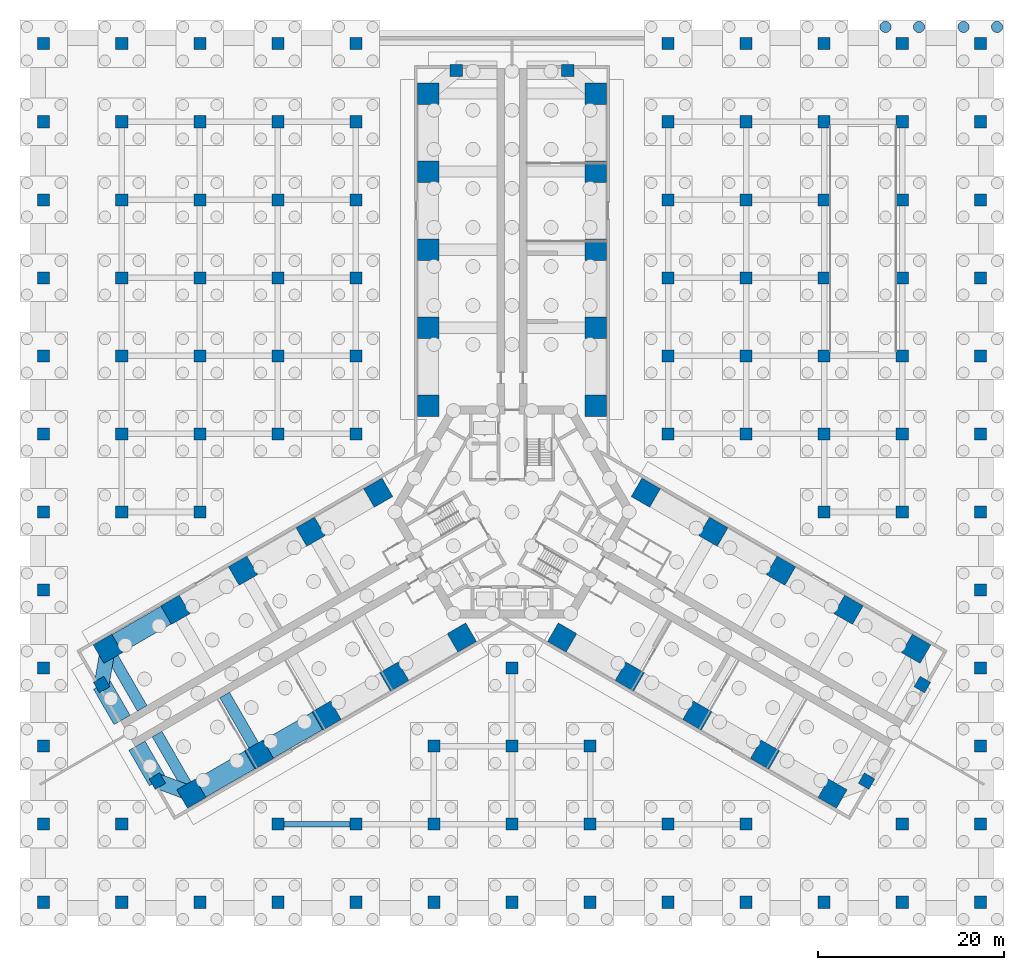
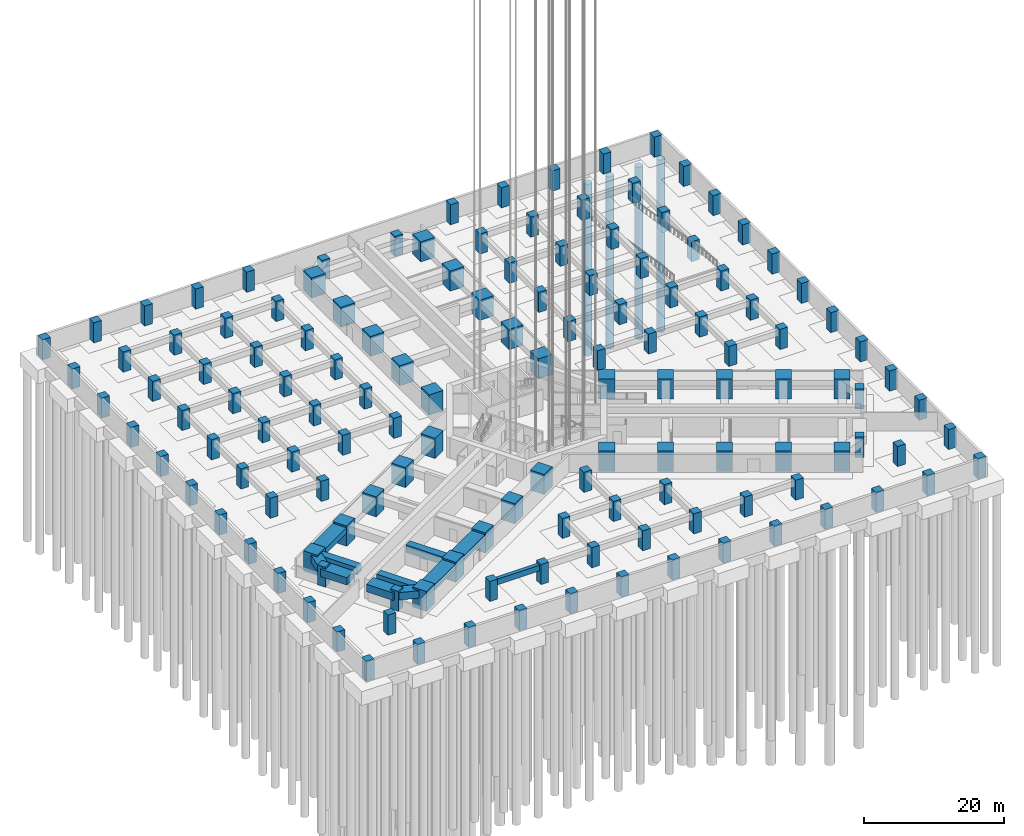
# One storey, part 48 of 73: 136 columns, 11 beams, 4 piles.
"""IFC4 building model written with IfcOpenShell, lengths in metres."""

from ifc_helpers import new_model, si_unit, direction, frame, origin, origin_2d, place, context, subcontext, project, spatial, polyline, rectangle, circle, outline, extrude, material, material_profile, profile_set, type_object, element, save


model = new_model("IFC4")

# Units and contexts
model_context = context("Model", 3, precision=1e-05, world=origin(), true_north=direction((0.0, 1.0)))
body_context = subcontext(model_context, "Body", "Model", "MODEL_VIEW")
ifc_project = project(units=[si_unit("LENGTHUNIT", "METRE"), si_unit("AREAUNIT", "SQUARE_METRE"), si_unit("VOLUMEUNIT", "CUBIC_METRE"), si_unit("PLANEANGLEUNIT", "RADIAN"), si_unit("MASSUNIT", "GRAM", prefix="KILO")], contexts=[model_context])

# Site, building, storey
site_placement = place(None, origin())
site = spatial("IfcSite", under=ifc_project, at=site_placement, CompositionType="ELEMENT")
building_placement = place(site_placement, origin())
building = spatial("IfcBuilding", under=site, at=building_placement, Name="Impinga Residences", CompositionType="ELEMENT")
storey_placement = place(building_placement, frame((0.0, 0.0, -10.5)))
storey = spatial("IfcBuildingStorey", under=building, at=storey_placement, Name="B3", CompositionType="ELEMENT", Elevation=-10.5)

# Piles
ifc_material_1 = material(Name="Concrete C35/45", Category="concrete")
ifc_material_profile_1 = material_profile(ifc_material_1, circle(Radius=0.60009765625, at=origin_2d()), Name="D1200")
ifc_profile_set_1 = profile_set([ifc_material_profile_1], Name="Concrete C35/45")
pile_type = type_object("IfcPileType", Name="BP2 bored pile D1200", PredefinedType="BORED", material=ifc_profile_set_1)
pile_1_placement = place(storey_placement, frame((43.800048828125, 52.199951171875, -2.39990234375), z_axis=(0.0, 0.0, -1.0), x_axis=(1.0, 0.0, 0.0)))
element("IfcPile", 1, at=pile_1_placement, inside=storey, type_object=pile_type, Name="Cap pile BP2 12/M-3", PredefinedType="BORED", context=body_context, shape_type="SweptSolid", body=[
    extrude(outline(polyline([(0.60009765625, 0.0), (0.59716796875, 0.058837890625), (0.58837890625, 0.116943359375), (0.57421875, 0.174072265625), (0.554443359375, 0.2294921875), (0.529052734375, 0.282958984375), (0.498779296875, 0.333251953125), (0.4638671875, 0.380615234375), (0.42431640625, 0.42431640625), (0.380615234375, 0.4638671875), (0.333251953125, 0.498779296875), (0.282958984375, 0.529052734375), (0.2294921875, 0.554443359375), (0.174072265625, 0.57421875), (0.116943359375, 0.58837890625), (0.058837890625, 0.59716796875), (0.0, 0.60009765625), (-0.058837890625, 0.59716796875), (-0.116943359375, 0.58837890625), (-0.174072265625, 0.57421875), (-0.2294921875, 0.554443359375), (-0.282958984375, 0.529052734375), (-0.333251953125, 0.498779296875), (-0.380615234375, 0.4638671875), (-0.42431640625, 0.42431640625), (-0.4638671875, 0.380615234375), (-0.498779296875, 0.333251953125), (-0.529052734375, 0.282958984375), (-0.554443359375, 0.2294921875), (-0.57421875, 0.174072265625), (-0.58837890625, 0.116943359375), (-0.59716796875, 0.058837890625), (-0.60009765625, 0.0), (-0.59716796875, -0.058837890625), (-0.58837890625, -0.116943359375), (-0.57421875, -0.174072265625), (-0.554443359375, -0.2294921875), (-0.529052734375, -0.282958984375), (-0.498779296875, -0.333251953125), (-0.4638671875, -0.380615234375), (-0.42431640625, -0.42431640625), (-0.380615234375, -0.4638671875), (-0.333251953125, -0.498779296875), (-0.282958984375, -0.529052734375), (-0.2294921875, -0.554443359375), (-0.174072265625, -0.57421875), (-0.116943359375, -0.58837890625), (-0.058837890625, -0.59716796875), (0.0, -0.60009765625), (0.058837890625, -0.59716796875), (0.116943359375, -0.58837890625), (0.174072265625, -0.57421875), (0.2294921875, -0.554443359375), (0.282958984375, -0.529052734375), (0.333251953125, -0.498779296875), (0.380615234375, -0.4638671875), (0.42431640625, -0.42431640625), (0.4638671875, -0.380615234375), (0.498779296875, -0.333251953125), (0.529052734375, -0.282958984375), (0.554443359375, -0.2294921875), (0.57421875, -0.174072265625), (0.58837890625, -0.116943359375), (0.59716796875, -0.058837890625), (0.60009765625, 0.0)])), origin(), (0.0, 0.0, 1.0), 30.0),
])
pile_2_placement = place(storey_placement, frame((40.199951171875, 52.199951171875, -2.39990234375), z_axis=(0.0, 0.0, -1.0), x_axis=(1.0, 0.0, 0.0)))
element("IfcPile", 2, at=pile_2_placement, inside=storey, type_object=pile_type, Name="Cap pile BP2 12/M-4", PredefinedType="BORED", context=body_context, shape_type="SweptSolid", body=[
    extrude(outline(polyline([(0.60009765625, 0.0), (0.59716796875, 0.058837890625), (0.58837890625, 0.116943359375), (0.57421875, 0.174072265625), (0.554443359375, 0.2294921875), (0.529052734375, 0.282958984375), (0.498779296875, 0.333251953125), (0.4638671875, 0.380615234375), (0.42431640625, 0.42431640625), (0.380615234375, 0.4638671875), (0.333251953125, 0.498779296875), (0.282958984375, 0.529052734375), (0.2294921875, 0.554443359375), (0.174072265625, 0.57421875), (0.116943359375, 0.58837890625), (0.058837890625, 0.59716796875), (0.0, 0.60009765625), (-0.058837890625, 0.59716796875), (-0.116943359375, 0.58837890625), (-0.174072265625, 0.57421875), (-0.2294921875, 0.554443359375), (-0.282958984375, 0.529052734375), (-0.333251953125, 0.498779296875), (-0.380615234375, 0.4638671875), (-0.42431640625, 0.42431640625), (-0.4638671875, 0.380615234375), (-0.498779296875, 0.333251953125), (-0.529052734375, 0.282958984375), (-0.554443359375, 0.2294921875), (-0.57421875, 0.174072265625), (-0.58837890625, 0.116943359375), (-0.59716796875, 0.058837890625), (-0.60009765625, 0.0), (-0.59716796875, -0.058837890625), (-0.58837890625, -0.116943359375), (-0.57421875, -0.174072265625), (-0.554443359375, -0.2294921875), (-0.529052734375, -0.282958984375), (-0.498779296875, -0.333251953125), (-0.4638671875, -0.380615234375), (-0.42431640625, -0.42431640625), (-0.380615234375, -0.4638671875), (-0.333251953125, -0.498779296875), (-0.282958984375, -0.529052734375), (-0.2294921875, -0.554443359375), (-0.174072265625, -0.57421875), (-0.116943359375, -0.58837890625), (-0.058837890625, -0.59716796875), (0.0, -0.60009765625), (0.058837890625, -0.59716796875), (0.116943359375, -0.58837890625), (0.174072265625, -0.57421875), (0.2294921875, -0.554443359375), (0.282958984375, -0.529052734375), (0.333251953125, -0.498779296875), (0.380615234375, -0.4638671875), (0.42431640625, -0.42431640625), (0.4638671875, -0.380615234375), (0.498779296875, -0.333251953125), (0.529052734375, -0.282958984375), (0.554443359375, -0.2294921875), (0.57421875, -0.174072265625), (0.58837890625, -0.116943359375), (0.59716796875, -0.058837890625), (0.60009765625, 0.0)])), origin(), (0.0, 0.0, 1.0), 30.0),
])
pile_3_placement = place(storey_placement, frame((52.199951171875, 52.199951171875, -2.39990234375), z_axis=(0.0, 0.0, -1.0), x_axis=(1.0, 0.0, 0.0)))
element("IfcPile", 3, at=pile_3_placement, inside=storey, type_object=pile_type, Name="Cap pile BP2 13/M-3", PredefinedType="BORED", context=body_context, shape_type="SweptSolid", body=[
    extrude(outline(polyline([(0.60009765625, 0.0), (0.59716796875, 0.058837890625), (0.58837890625, 0.116943359375), (0.57421875, 0.174072265625), (0.554443359375, 0.2294921875), (0.529052734375, 0.282958984375), (0.498779296875, 0.333251953125), (0.4638671875, 0.380615234375), (0.42431640625, 0.42431640625), (0.380615234375, 0.4638671875), (0.333251953125, 0.498779296875), (0.282958984375, 0.529052734375), (0.2294921875, 0.554443359375), (0.174072265625, 0.57421875), (0.116943359375, 0.58837890625), (0.058837890625, 0.59716796875), (0.0, 0.60009765625), (-0.058837890625, 0.59716796875), (-0.116943359375, 0.58837890625), (-0.174072265625, 0.57421875), (-0.2294921875, 0.554443359375), (-0.282958984375, 0.529052734375), (-0.333251953125, 0.498779296875), (-0.380615234375, 0.4638671875), (-0.42431640625, 0.42431640625), (-0.4638671875, 0.380615234375), (-0.498779296875, 0.333251953125), (-0.529052734375, 0.282958984375), (-0.554443359375, 0.2294921875), (-0.57421875, 0.174072265625), (-0.58837890625, 0.116943359375), (-0.59716796875, 0.058837890625), (-0.60009765625, 0.0), (-0.59716796875, -0.058837890625), (-0.58837890625, -0.116943359375), (-0.57421875, -0.174072265625), (-0.554443359375, -0.2294921875), (-0.529052734375, -0.282958984375), (-0.498779296875, -0.333251953125), (-0.4638671875, -0.380615234375), (-0.42431640625, -0.42431640625), (-0.380615234375, -0.4638671875), (-0.333251953125, -0.498779296875), (-0.282958984375, -0.529052734375), (-0.2294921875, -0.554443359375), (-0.174072265625, -0.57421875), (-0.116943359375, -0.58837890625), (-0.058837890625, -0.59716796875), (0.0, -0.60009765625), (0.058837890625, -0.59716796875), (0.116943359375, -0.58837890625), (0.174072265625, -0.57421875), (0.2294921875, -0.554443359375), (0.282958984375, -0.529052734375), (0.333251953125, -0.498779296875), (0.380615234375, -0.4638671875), (0.42431640625, -0.42431640625), (0.4638671875, -0.380615234375), (0.498779296875, -0.333251953125), (0.529052734375, -0.282958984375), (0.554443359375, -0.2294921875), (0.57421875, -0.174072265625), (0.58837890625, -0.116943359375), (0.59716796875, -0.058837890625), (0.60009765625, 0.0)])), origin(), (0.0, 0.0, 1.0), 30.0),
])
pile_4_placement = place(storey_placement, frame((48.60009765625, 52.199951171875, -2.39990234375), z_axis=(0.0, 0.0, -1.0), x_axis=(1.0, 0.0, 0.0)))
element("IfcPile", 4, at=pile_4_placement, inside=storey, type_object=pile_type, Name="Cap pile BP2 13/M-4", PredefinedType="BORED", context=body_context, shape_type="SweptSolid", body=[
    extrude(outline(polyline([(0.60009765625, 0.0), (0.59716796875, 0.058837890625), (0.58837890625, 0.116943359375), (0.57421875, 0.174072265625), (0.554443359375, 0.2294921875), (0.529052734375, 0.282958984375), (0.498779296875, 0.333251953125), (0.4638671875, 0.380615234375), (0.42431640625, 0.42431640625), (0.380615234375, 0.4638671875), (0.333251953125, 0.498779296875), (0.282958984375, 0.529052734375), (0.2294921875, 0.554443359375), (0.174072265625, 0.57421875), (0.116943359375, 0.58837890625), (0.058837890625, 0.59716796875), (0.0, 0.60009765625), (-0.058837890625, 0.59716796875), (-0.116943359375, 0.58837890625), (-0.174072265625, 0.57421875), (-0.2294921875, 0.554443359375), (-0.282958984375, 0.529052734375), (-0.333251953125, 0.498779296875), (-0.380615234375, 0.4638671875), (-0.42431640625, 0.42431640625), (-0.4638671875, 0.380615234375), (-0.498779296875, 0.333251953125), (-0.529052734375, 0.282958984375), (-0.554443359375, 0.2294921875), (-0.57421875, 0.174072265625), (-0.58837890625, 0.116943359375), (-0.59716796875, 0.058837890625), (-0.60009765625, 0.0), (-0.59716796875, -0.058837890625), (-0.58837890625, -0.116943359375), (-0.57421875, -0.174072265625), (-0.554443359375, -0.2294921875), (-0.529052734375, -0.282958984375), (-0.498779296875, -0.333251953125), (-0.4638671875, -0.380615234375), (-0.42431640625, -0.42431640625), (-0.380615234375, -0.4638671875), (-0.333251953125, -0.498779296875), (-0.282958984375, -0.529052734375), (-0.2294921875, -0.554443359375), (-0.174072265625, -0.57421875), (-0.116943359375, -0.58837890625), (-0.058837890625, -0.59716796875), (0.0, -0.60009765625), (0.058837890625, -0.59716796875), (0.116943359375, -0.58837890625), (0.174072265625, -0.57421875), (0.2294921875, -0.554443359375), (0.282958984375, -0.529052734375), (0.333251953125, -0.498779296875), (0.380615234375, -0.4638671875), (0.42431640625, -0.42431640625), (0.4638671875, -0.380615234375), (0.498779296875, -0.333251953125), (0.529052734375, -0.282958984375), (0.554443359375, -0.2294921875), (0.57421875, -0.174072265625), (0.58837890625, -0.116943359375), (0.59716796875, -0.058837890625), (0.60009765625, 0.0)])), origin(), (0.0, 0.0, 1.0), 30.0),
])

# Columns
ifc_material_2 = material(Name="Concrete C70/85", Category="concrete")
ifc_material_profile_2 = material_profile(ifc_material_2, rectangle(XDim=2.300048828125, YDim=2.300048828125, at=origin_2d()), Name="RC 2300x2300")
ifc_profile_set_2 = profile_set([ifc_material_profile_2], Name="Concrete C70/85")
column_type_1 = type_object("IfcColumnType", Name="C1 2300x2300 column", PredefinedType="COLUMN", material=ifc_profile_set_2)
for number, where, z_axis, x_axis, name in (
    (5, (-9.0, 11.431640625, 0.0), (0.0, 0.0, 1.0), (1.0, 0.0, 0.0), "Column C1 N1/NA B3"),
    (6, (9.0, 11.431640625, 0.0), (0.0, 0.0, 1.0), (1.0, 0.0, 0.0), "Column C1 N1/NF B3"),
    (7, (-9.0, 19.83154296875, 0.0), (0.0, 0.0, 1.0), (1.0, 0.0, 0.0), "Column C1 N2/NA B3"),
    (8, (9.0, 19.83154296875, 0.0), (0.0, 0.0, 1.0), (1.0, 0.0, 0.0), "Column C1 N2/NF B3"),
    (9, (-9.0, 28.2314453125, 0.0), (0.0, 0.0, 1.0), (1.0, 0.0, 0.0), "Column C1 N3/NA B3"),
    (10, (9.0, 28.2314453125, 0.0), (0.0, 0.0, 1.0), (1.0, 0.0, 0.0), "Column C1 N3/NF B3"),
    (11, (-9.0, 36.631591796875, 0.0), (0.0, 0.0, 1.0), (1.0, 0.0, 0.0), "Column C1 N4/NA B3"),
    (12, (9.0, 36.631591796875, 0.0), (0.0, 0.0, 1.0), (1.0, 0.0, 0.0), "Column C1 N4/NF B3"),
    (13, (-9.0, 45.031494140625, 0.0), (0.0, 0.0, 1.0), (1.0, 0.0, 0.0), "Column C1 N5/NA B3"),
    (14, (9.0, 45.031494140625, 0.0), (0.0, 0.0, 1.0), (1.0, 0.0, 0.0), "Column C1 N5/NF B3"),
    (15, (-5.39990234375, -13.510009765625, 0.0), (0.0, 0.0, 1.0), (-0.5, 0.866025403784, 0.0), "Column C1 W1/WA B3"),
    (16, (-14.39990234375, 2.078369140625, 0.0), (0.0, 0.0, 1.0), (-0.5, 0.866025403784, 0.0), "Column C1 W1/WF B3"),
    (17, (-12.674560546875, -17.7099609375, 0.0), (0.0, 0.0, 1.0), (-0.5, 0.866025403784, 0.0), "Column C1 W2/WA B3"),
    (18, (-21.674560546875, -2.12158203125, 0.0), (0.0, 0.0, 1.0), (-0.5, 0.866025403784, 0.0), "Column C1 W2/WF B3"),
    (19, (-19.94921875, -21.909912109375, 0.0), (0.0, 0.0, 1.0), (-0.5, 0.866025403784, 0.0), "Column C1 W3/WA B3"),
    (20, (-28.94921875, -6.321533203125, 0.0), (0.0, 0.0, 1.0), (-0.5, 0.866025403784, 0.0), "Column C1 W3/WF B3"),
    (21, (-27.223876953125, -26.110107421875, 0.0), (0.0, 0.0, 1.0), (-0.5, 0.866025403784, 0.0), "Column C1 W4/WA B3"),
    (22, (-36.223876953125, -10.521484375, 0.0), (0.0, 0.0, 1.0), (-0.5, 0.866025403784, 0.0), "Column C1 W4/WF B3"),
    (23, (-34.49853515625, -30.31005859375, 0.0), (0.0, 0.0, 1.0), (-0.5, 0.866025403784, 0.0), "Column C1 W5/WA B3"),
    (24, (-43.49853515625, -14.721435546875, 0.0), (0.0, 0.0, 1.0), (-0.5, 0.866025403784, 0.0), "Column C1 W5/WF B3"),
    (25, (14.39990234375, 2.078369140625, 0.0), (0.0, 0.0, 1.0), (-0.5, -0.866025403784, 0.0), "Column C1 E1/EA B3"),
    (26, (5.39990234375, -13.510009765625, 0.0), (0.0, 0.0, 1.0), (-0.5, -0.866025403784, 0.0), "Column C1 E1/EF B3"),
    (27, (21.674560546875, -2.12158203125, 0.0), (0.0, 0.0, 1.0), (-0.5, -0.866025403784, 0.0), "Column C1 E2/EA B3"),
    (28, (12.674560546875, -17.7099609375, 0.0), (0.0, 0.0, 1.0), (-0.5, -0.866025403784, 0.0), "Column C1 E2/EF B3"),
    (29, (28.94921875, -6.321533203125, 0.0), (0.0, 0.0, 1.0), (-0.5, -0.866025403784, 0.0), "Column C1 E3/EA B3"),
    (30, (19.94921875, -21.909912109375, 0.0), (0.0, 0.0, 1.0), (-0.5, -0.866025403784, 0.0), "Column C1 E3/EF B3"),
    (31, (36.223876953125, -10.521484375, 0.0), (0.0, 0.0, 1.0), (-0.5, -0.866025403784, 0.0), "Column C1 E4/EA B3"),
    (32, (27.223876953125, -26.110107421875, 0.0), (0.0, 0.0, 1.0), (-0.5, -0.866025403784, 0.0), "Column C1 E4/EF B3"),
    (33, (43.49853515625, -14.721435546875, 0.0), (0.0, 0.0, 1.0), (-0.5, -0.866025403784, 0.0), "Column C1 E5/EA B3"),
    (34, (34.49853515625, -30.31005859375, 0.0), (0.0, 0.0, 1.0), (-0.5, -0.866025403784, 0.0), "Column C1 E5/EF B3"),
):
    element("IfcColumn", number, at=place(storey_placement, frame(where, z_axis=z_axis, x_axis=x_axis)), inside=storey, type_object=column_type_1, Name=name, PredefinedType="COLUMN", context=body_context, shape_type="SweptSolid", body=[
        extrude(rectangle(XDim=2.300048828125, YDim=2.300048828125, at=origin_2d()), origin(), (0.0, 0.0, 1.0), 3.5),
    ])
ifc_material_profile_3 = material_profile(ifc_material_2, rectangle(XDim=1.300048828125, YDim=1.300048828125, at=origin_2d()), Name="RC 1300x1300")
ifc_profile_set_3 = profile_set([ifc_material_profile_3], Name="Concrete C70/85")
column_type_2 = type_object("IfcColumnType", Name="PC1 1300x1300 column", PredefinedType="COLUMN", material=ifc_profile_set_3)
for number, where, z_axis, x_axis, name in (
    (35, (-6.0, 47.531494140625, 0.0), (0.0, 0.0, 1.0), (1.0, 0.0, 0.0), "Column PC1 NB/NX wing end prop B3"),
    (36, (6.0, 47.531494140625, 0.0), (0.0, 0.0, 1.0), (1.0, 0.0, 0.0), "Column PC1 NE/NX wing end prop B3"),
    (37, (-38.16357421875, -28.9619140625, 0.0), (0.0, 0.0, 1.0), (-0.5, 0.866025403784, 0.0), "Column PC1 WB/WX wing end prop B3"),
    (38, (-44.16357421875, -18.569580078125, 0.0), (0.0, 0.0, 1.0), (-0.5, 0.866025403784, 0.0), "Column PC1 WE/WX wing end prop B3"),
    (39, (44.16357421875, -18.569580078125, 0.0), (0.0, 0.0, 1.0), (-0.5, -0.866025403784, 0.0), "Column PC1 EB/EX wing end prop B3"),
    (40, (38.16357421875, -28.9619140625, 0.0), (0.0, 0.0, 1.0), (-0.5, -0.866025403784, 0.0), "Column PC1 EE/EX wing end prop B3"),
    (41, (-50.39990234375, -42.0, 0.0), (0.0, 0.0, 1.0), (1.0, 0.0, 0.0), "Column PC1 1/A B3"),
    (42, (-50.39990234375, -33.60009765625, 0.0), (0.0, 0.0, 1.0), (1.0, 0.0, 0.0), "Column PC1 1/B B3"),
    (43, (-50.39990234375, -25.199951171875, 0.0), (0.0, 0.0, 1.0), (1.0, 0.0, 0.0), "Column PC1 1/C B3"),
    (44, (-50.39990234375, -16.800048828125, 0.0), (0.0, 0.0, 1.0), (1.0, 0.0, 0.0), "Column PC1 1/D B3"),
    (45, (-50.39990234375, -8.39990234375, 0.0), (0.0, 0.0, 1.0), (1.0, 0.0, 0.0), "Column PC1 1/E B3"),
    (46, (-50.39990234375, 0.0, 0.0), (0.0, 0.0, 1.0), (1.0, 0.0, 0.0), "Column PC1 1/F B3"),
    (47, (-50.39990234375, 8.39990234375, 0.0), (0.0, 0.0, 1.0), (1.0, 0.0, 0.0), "Column PC1 1/G B3"),
    (48, (-50.39990234375, 16.800048828125, 0.0), (0.0, 0.0, 1.0), (1.0, 0.0, 0.0), "Column PC1 1/H B3"),
    (49, (-50.39990234375, 25.199951171875, 0.0), (0.0, 0.0, 1.0), (1.0, 0.0, 0.0), "Column PC1 1/J B3"),
    (50, (-50.39990234375, 33.60009765625, 0.0), (0.0, 0.0, 1.0), (1.0, 0.0, 0.0), "Column PC1 1/K B3"),
    (51, (-50.39990234375, 42.0, 0.0), (0.0, 0.0, 1.0), (1.0, 0.0, 0.0), "Column PC1 1/L B3"),
    (52, (-50.39990234375, 50.39990234375, 0.0), (0.0, 0.0, 1.0), (1.0, 0.0, 0.0), "Column PC1 1/M B3"),
    (53, (-42.0, -42.0, 0.0), (0.0, 0.0, 1.0), (1.0, 0.0, 0.0), "Column PC1 2/A B3"),
    (54, (-42.0, -33.60009765625, 0.0), (0.0, 0.0, 1.0), (1.0, 0.0, 0.0), "Column PC1 2/B B3"),
    (55, (-42.0, 0.0, 0.0), (0.0, 0.0, 1.0), (1.0, 0.0, 0.0), "Column PC1 2/F B3"),
    (56, (-42.0, 8.39990234375, 0.0), (0.0, 0.0, 1.0), (1.0, 0.0, 0.0), "Column PC1 2/G B3"),
    (57, (-42.0, 16.800048828125, 0.0), (0.0, 0.0, 1.0), (1.0, 0.0, 0.0), "Column PC1 2/H B3"),
    (58, (-42.0, 25.199951171875, 0.0), (0.0, 0.0, 1.0), (1.0, 0.0, 0.0), "Column PC1 2/J B3"),
    (59, (-42.0, 33.60009765625, 0.0), (0.0, 0.0, 1.0), (1.0, 0.0, 0.0), "Column PC1 2/K B3"),
    (60, (-42.0, 42.0, 0.0), (0.0, 0.0, 1.0), (1.0, 0.0, 0.0), "Column PC1 2/L B3"),
    (61, (-42.0, 50.39990234375, 0.0), (0.0, 0.0, 1.0), (1.0, 0.0, 0.0), "Column PC1 2/M B3"),
    (62, (-33.60009765625, -42.0, 0.0), (0.0, 0.0, 1.0), (1.0, 0.0, 0.0), "Column PC1 3/A B3"),
    (63, (-33.60009765625, 0.0, 0.0), (0.0, 0.0, 1.0), (1.0, 0.0, 0.0), "Column PC1 3/F B3"),
    (64, (-33.60009765625, 8.39990234375, 0.0), (0.0, 0.0, 1.0), (1.0, 0.0, 0.0), "Column PC1 3/G B3"),
    (65, (-33.60009765625, 16.800048828125, 0.0), (0.0, 0.0, 1.0), (1.0, 0.0, 0.0), "Column PC1 3/H B3"),
    (66, (-33.60009765625, 25.199951171875, 0.0), (0.0, 0.0, 1.0), (1.0, 0.0, 0.0), "Column PC1 3/J B3"),
    (67, (-33.60009765625, 33.60009765625, 0.0), (0.0, 0.0, 1.0), (1.0, 0.0, 0.0), "Column PC1 3/K B3"),
    (68, (-33.60009765625, 42.0, 0.0), (0.0, 0.0, 1.0), (1.0, 0.0, 0.0), "Column PC1 3/L B3"),
    (69, (-33.60009765625, 50.39990234375, 0.0), (0.0, 0.0, 1.0), (1.0, 0.0, 0.0), "Column PC1 3/M B3"),
    (70, (-25.199951171875, -42.0, 0.0), (0.0, 0.0, 1.0), (1.0, 0.0, 0.0), "Column PC1 4/A B3"),
    (71, (-25.199951171875, -33.60009765625, 0.0), (0.0, 0.0, 1.0), (1.0, 0.0, 0.0), "Column PC1 4/B B3"),
    (72, (-25.199951171875, 8.39990234375, 0.0), (0.0, 0.0, 1.0), (1.0, 0.0, 0.0), "Column PC1 4/G B3"),
    (73, (-25.199951171875, 16.800048828125, 0.0), (0.0, 0.0, 1.0), (1.0, 0.0, 0.0), "Column PC1 4/H B3"),
    (74, (-25.199951171875, 25.199951171875, 0.0), (0.0, 0.0, 1.0), (1.0, 0.0, 0.0), "Column PC1 4/J B3"),
    (75, (-25.199951171875, 33.60009765625, 0.0), (0.0, 0.0, 1.0), (1.0, 0.0, 0.0), "Column PC1 4/K B3"),
    (76, (-25.199951171875, 42.0, 0.0), (0.0, 0.0, 1.0), (1.0, 0.0, 0.0), "Column PC1 4/L B3"),
    (77, (-25.199951171875, 50.39990234375, 0.0), (0.0, 0.0, 1.0), (1.0, 0.0, 0.0), "Column PC1 4/M B3"),
    (78, (-16.800048828125, -42.0, 0.0), (0.0, 0.0, 1.0), (1.0, 0.0, 0.0), "Column PC1 5/A B3"),
    (79, (-16.800048828125, -33.60009765625, 0.0), (0.0, 0.0, 1.0), (1.0, 0.0, 0.0), "Column PC1 5/B B3"),
    (80, (-16.800048828125, 8.39990234375, 0.0), (0.0, 0.0, 1.0), (1.0, 0.0, 0.0), "Column PC1 5/G B3"),
    (81, (-16.800048828125, 16.800048828125, 0.0), (0.0, 0.0, 1.0), (1.0, 0.0, 0.0), "Column PC1 5/H B3"),
    (82, (-16.800048828125, 25.199951171875, 0.0), (0.0, 0.0, 1.0), (1.0, 0.0, 0.0), "Column PC1 5/J B3"),
    (83, (-16.800048828125, 33.60009765625, 0.0), (0.0, 0.0, 1.0), (1.0, 0.0, 0.0), "Column PC1 5/K B3"),
    (84, (-16.800048828125, 42.0, 0.0), (0.0, 0.0, 1.0), (1.0, 0.0, 0.0), "Column PC1 5/L B3"),
    (85, (-16.800048828125, 50.39990234375, 0.0), (0.0, 0.0, 1.0), (1.0, 0.0, 0.0), "Column PC1 5/M B3"),
    (86, (-8.39990234375, -42.0, 0.0), (0.0, 0.0, 1.0), (1.0, 0.0, 0.0), "Column PC1 6/A B3"),
    (87, (-8.39990234375, -33.60009765625, 0.0), (0.0, 0.0, 1.0), (1.0, 0.0, 0.0), "Column PC1 6/B B3"),
    (88, (-8.39990234375, -25.199951171875, 0.0), (0.0, 0.0, 1.0), (1.0, 0.0, 0.0), "Column PC1 6/C B3"),
    (89, (0.0, -42.0, 0.0), (0.0, 0.0, 1.0), (1.0, 0.0, 0.0), "Column PC1 7/A B3"),
    (90, (0.0, -33.60009765625, 0.0), (0.0, 0.0, 1.0), (1.0, 0.0, 0.0), "Column PC1 7/B B3"),
    (91, (0.0, -25.199951171875, 0.0), (0.0, 0.0, 1.0), (1.0, 0.0, 0.0), "Column PC1 7/C B3"),
    (92, (0.0, -16.800048828125, 0.0), (0.0, 0.0, 1.0), (1.0, 0.0, 0.0), "Column PC1 7/D B3"),
    (93, (8.39990234375, -42.0, 0.0), (0.0, 0.0, 1.0), (1.0, 0.0, 0.0), "Column PC1 8/A B3"),
    (94, (8.39990234375, -33.60009765625, 0.0), (0.0, 0.0, 1.0), (1.0, 0.0, 0.0), "Column PC1 8/B B3"),
    (95, (8.39990234375, -25.199951171875, 0.0), (0.0, 0.0, 1.0), (1.0, 0.0, 0.0), "Column PC1 8/C B3"),
    (96, (16.800048828125, -42.0, 0.0), (0.0, 0.0, 1.0), (1.0, 0.0, 0.0), "Column PC1 9/A B3"),
    (97, (16.800048828125, -33.60009765625, 0.0), (0.0, 0.0, 1.0), (1.0, 0.0, 0.0), "Column PC1 9/B B3"),
    (98, (16.800048828125, 8.39990234375, 0.0), (0.0, 0.0, 1.0), (1.0, 0.0, 0.0), "Column PC1 9/G B3"),
    (99, (16.800048828125, 16.800048828125, 0.0), (0.0, 0.0, 1.0), (1.0, 0.0, 0.0), "Column PC1 9/H B3"),
    (100, (16.800048828125, 25.199951171875, 0.0), (0.0, 0.0, 1.0), (1.0, 0.0, 0.0), "Column PC1 9/J B3"),
    (101, (16.800048828125, 33.60009765625, 0.0), (0.0, 0.0, 1.0), (1.0, 0.0, 0.0), "Column PC1 9/K B3"),
    (102, (16.800048828125, 42.0, 0.0), (0.0, 0.0, 1.0), (1.0, 0.0, 0.0), "Column PC1 9/L B3"),
    (103, (16.800048828125, 50.39990234375, 0.0), (0.0, 0.0, 1.0), (1.0, 0.0, 0.0), "Column PC1 9/M B3"),
    (104, (25.199951171875, -42.0, 0.0), (0.0, 0.0, 1.0), (1.0, 0.0, 0.0), "Column PC1 10/A B3"),
    (105, (25.199951171875, -33.60009765625, 0.0), (0.0, 0.0, 1.0), (1.0, 0.0, 0.0), "Column PC1 10/B B3"),
    (106, (25.199951171875, 8.39990234375, 0.0), (0.0, 0.0, 1.0), (1.0, 0.0, 0.0), "Column PC1 10/G B3"),
    (107, (25.199951171875, 16.800048828125, 0.0), (0.0, 0.0, 1.0), (1.0, 0.0, 0.0), "Column PC1 10/H B3"),
    (108, (25.199951171875, 25.199951171875, 0.0), (0.0, 0.0, 1.0), (1.0, 0.0, 0.0), "Column PC1 10/J B3"),
    (109, (25.199951171875, 33.60009765625, 0.0), (0.0, 0.0, 1.0), (1.0, 0.0, 0.0), "Column PC1 10/K B3"),
    (110, (25.199951171875, 42.0, 0.0), (0.0, 0.0, 1.0), (1.0, 0.0, 0.0), "Column PC1 10/L B3"),
    (111, (25.199951171875, 50.39990234375, 0.0), (0.0, 0.0, 1.0), (1.0, 0.0, 0.0), "Column PC1 10/M B3"),
    (112, (33.60009765625, -42.0, 0.0), (0.0, 0.0, 1.0), (1.0, 0.0, 0.0), "Column PC1 11/A B3"),
    (113, (33.60009765625, 0.0, 0.0), (0.0, 0.0, 1.0), (1.0, 0.0, 0.0), "Column PC1 11/F B3"),
    (114, (33.60009765625, 8.39990234375, 0.0), (0.0, 0.0, 1.0), (1.0, 0.0, 0.0), "Column PC1 11/G B3"),
    (115, (33.60009765625, 16.800048828125, 0.0), (0.0, 0.0, 1.0), (1.0, 0.0, 0.0), "Column PC1 11/H B3"),
    (116, (33.60009765625, 25.199951171875, 0.0), (0.0, 0.0, 1.0), (1.0, 0.0, 0.0), "Column PC1 11/J B3"),
    (117, (33.60009765625, 33.60009765625, 0.0), (0.0, 0.0, 1.0), (1.0, 0.0, 0.0), "Column PC1 11/K B3"),
    (118, (33.60009765625, 42.0, 0.0), (0.0, 0.0, 1.0), (1.0, 0.0, 0.0), "Column PC1 11/L B3"),
    (119, (33.60009765625, 50.39990234375, 0.0), (0.0, 0.0, 1.0), (1.0, 0.0, 0.0), "Column PC1 11/M B3"),
    (120, (42.0, -42.0, 0.0), (0.0, 0.0, 1.0), (1.0, 0.0, 0.0), "Column PC1 12/A B3"),
    (121, (42.0, -33.60009765625, 0.0), (0.0, 0.0, 1.0), (1.0, 0.0, 0.0), "Column PC1 12/B B3"),
    (122, (42.0, 0.0, 0.0), (0.0, 0.0, 1.0), (1.0, 0.0, 0.0), "Column PC1 12/F B3"),
    (123, (42.0, 8.39990234375, 0.0), (0.0, 0.0, 1.0), (1.0, 0.0, 0.0), "Column PC1 12/G B3"),
    (124, (42.0, 16.800048828125, 0.0), (0.0, 0.0, 1.0), (1.0, 0.0, 0.0), "Column PC1 12/H B3"),
    (125, (42.0, 25.199951171875, 0.0), (0.0, 0.0, 1.0), (1.0, 0.0, 0.0), "Column PC1 12/J B3"),
    (126, (42.0, 33.60009765625, 0.0), (0.0, 0.0, 1.0), (1.0, 0.0, 0.0), "Column PC1 12/K B3"),
    (127, (42.0, 42.0, 0.0), (0.0, 0.0, 1.0), (1.0, 0.0, 0.0), "Column PC1 12/L B3"),
    (128, (42.0, 50.39990234375, 0.0), (0.0, 0.0, 1.0), (1.0, 0.0, 0.0), "Column PC1 12/M B3"),
    (129, (50.39990234375, -42.0, 0.0), (0.0, 0.0, 1.0), (1.0, 0.0, 0.0), "Column PC1 13/A B3"),
    (130, (50.39990234375, -33.60009765625, 0.0), (0.0, 0.0, 1.0), (1.0, 0.0, 0.0), "Column PC1 13/B B3"),
    (131, (50.39990234375, -25.199951171875, 0.0), (0.0, 0.0, 1.0), (1.0, 0.0, 0.0), "Column PC1 13/C B3"),
    (132, (50.39990234375, -16.800048828125, 0.0), (0.0, 0.0, 1.0), (1.0, 0.0, 0.0), "Column PC1 13/D B3"),
    (133, (50.39990234375, -8.39990234375, 0.0), (0.0, 0.0, 1.0), (1.0, 0.0, 0.0), "Column PC1 13/E B3"),
    (134, (50.39990234375, 0.0, 0.0), (0.0, 0.0, 1.0), (1.0, 0.0, 0.0), "Column PC1 13/F B3"),
    (135, (50.39990234375, 8.39990234375, 0.0), (0.0, 0.0, 1.0), (1.0, 0.0, 0.0), "Column PC1 13/G B3"),
    (136, (50.39990234375, 16.800048828125, 0.0), (0.0, 0.0, 1.0), (1.0, 0.0, 0.0), "Column PC1 13/H B3"),
    (137, (50.39990234375, 25.199951171875, 0.0), (0.0, 0.0, 1.0), (1.0, 0.0, 0.0), "Column PC1 13/J B3"),
    (138, (50.39990234375, 33.60009765625, 0.0), (0.0, 0.0, 1.0), (1.0, 0.0, 0.0), "Column PC1 13/K B3"),
    (139, (50.39990234375, 42.0, 0.0), (0.0, 0.0, 1.0), (1.0, 0.0, 0.0), "Column PC1 13/L B3"),
    (140, (50.39990234375, 50.39990234375, 0.0), (0.0, 0.0, 1.0), (1.0, 0.0, 0.0), "Column PC1 13/M B3"),
):
    element("IfcColumn", number, at=place(storey_placement, frame(where, z_axis=z_axis, x_axis=x_axis)), inside=storey, type_object=column_type_2, Name=name, PredefinedType="COLUMN", context=body_context, shape_type="SweptSolid", body=[
        extrude(rectangle(XDim=1.300048828125, YDim=1.300048828125, at=origin_2d()), origin(), (0.0, 0.0, 1.0), 3.5),
    ])

# Beams
ifc_material_3 = material(Name="Concrete C60/75", Category="concrete")
ifc_material_profile_4 = material_profile(ifc_material_3, rectangle(XDim=1.60009765625, YDim=1.300048828125, at=origin_2d()), Name="RC 1600x1300")
ifc_profile_set_4 = profile_set([ifc_material_profile_4], Name="Concrete C60/75")
beam_type_1 = type_object("IfcBeamType", Name="CB4 1600x1300 wing end beam to the wing-tip prop", PredefinedType="BEAM", material=ifc_profile_set_4)
beam_1_placement = place(storey_placement, frame((-34.49853515625, -30.31005859375, 2.550048828125), z_axis=(-0.938520178725, 0.345224382289, 0.0), x_axis=(-0.345224382289, -0.938520178725, 0.0)))
element("IfcBeam", 141, at=beam_1_placement, inside=storey, type_object=beam_type_1, Name="Beam CB4 WB W5-WX level B2", PredefinedType="BEAM", context=body_context, shape_type="SweptSolid", body=[
    extrude(rectangle(XDim=1.60009765625, YDim=1.300048828125, at=origin_2d()), origin(), (0.0, 0.0, 1.0), 3.905029296875),
])
beam_2_placement = place(storey_placement, frame((-43.49853515625, -14.721435546875, 2.550048828125), z_axis=(-0.170296298948, -0.985392901621, 0.0), x_axis=(0.985392901621, -0.170296298948, 0.0)))
element("IfcBeam", 142, at=beam_2_placement, inside=storey, type_object=beam_type_1, Name="Beam CB4 WE W5-WX level B2", PredefinedType="BEAM", context=body_context, shape_type="SweptSolid", body=[
    extrude(rectangle(XDim=1.60009765625, YDim=1.300048828125, at=origin_2d()), origin(), (0.0, 0.0, 1.0), 3.9052734375),
])
ifc_material_profile_5 = material_profile(ifc_material_3, rectangle(XDim=1.199951171875, YDim=1.300048828125, at=origin_2d()), Name="RC 1200x1300")
ifc_profile_set_5 = profile_set([ifc_material_profile_5], Name="Concrete C60/75")
beam_type_2 = type_object("IfcBeamType", Name="CG2 1200x1300 cross girder on a wing bay line", PredefinedType="BEAM", material=ifc_profile_set_5)
for number, where, z_axis, x_axis, name in (
    (143, (-30.923828125, -19.701416015625, 2.550048828125), (0.499988999718, -0.866031754707, 0.0), (0.866031754707, 0.499988999718, 0.0), "Beam CG2 W4 WC/WA level B2"),
    (144, (-38.198486328125, -23.9013671875, 2.550048828125), (0.499988999718, -0.866031754707, 0.0), (0.866031754707, 0.499988999718, 0.0), "Beam CG2 W5 WC/WA level B2"),
    (145, (-39.79833984375, -21.130126953125, 2.550048828125), (-0.500013743233, 0.86601746898, 0.0), (-0.86601746898, -0.500013743233, 0.0), "Beam CG2 W5 WC/WF level B2"),
):
    element("IfcBeam", number, at=place(storey_placement, frame(where, z_axis=z_axis, x_axis=x_axis)), inside=storey, type_object=beam_type_2, Name=name, PredefinedType="BEAM", context=body_context, shape_type="SweptSolid", body=[
        extrude(rectangle(XDim=1.199951171875, YDim=1.300048828125, at=origin_2d()), origin(), (0.0, 0.0, 1.0), 7.400146484375),
    ])
ifc_material_profile_6 = material_profile(ifc_material_3, rectangle(XDim=2.0, YDim=1.300048828125, at=origin_2d()), Name="RC 2000x1300")
ifc_profile_set_6 = profile_set([ifc_material_profile_6], Name="Concrete C60/75")
beam_type_3 = type_object("IfcBeamType", Name="EB4 2000x1300 wing end beam", PredefinedType="BEAM", material=ifc_profile_set_6)
for number, where, z_axis, x_axis, name in (
    (146, (-38.16357421875, -28.9619140625, 2.550048828125), (-0.499988222896, 0.866032203192, 0.0), (-0.866032203192, -0.499988222896, 0.0), "Beam EB4 WX4 level B2"),
    (147, (-41.963623046875, -22.380126953125, 2.550048828125), (-0.499988222896, 0.866032203192, 0.0), (-0.866032203192, -0.499988222896, 0.0), "Beam EB4 WX4 level B2"),
):
    element("IfcBeam", number, at=place(storey_placement, frame(where, z_axis=z_axis, x_axis=x_axis)), inside=storey, type_object=beam_type_3, Name=name, PredefinedType="BEAM", context=body_context, shape_type="SweptSolid", body=[
        extrude(rectangle(XDim=2.0, YDim=1.300048828125, at=origin_2d()), origin(), (0.0, 0.0, 1.0), 4.39990234375),
    ])
ifc_material_profile_7 = material_profile(ifc_material_3, rectangle(XDim=0.60009765625, YDim=1.0, at=origin_2d()), Name="RC 600x1000")
ifc_profile_set_7 = profile_set([ifc_material_profile_7], Name="Concrete C60/75")
beam_type_4 = type_object("IfcBeamType", Name="PB1 600x1000 basement and ground floor beam", PredefinedType="BEAM", material=ifc_profile_set_7)
beam_3_placement = place(storey_placement, frame((-25.199951171875, -33.60009765625, 2.699951171875), z_axis=(1.0, 0.0, 0.0), x_axis=(0.0, 1.0, 0.0)))
element("IfcBeam", 148, at=beam_3_placement, inside=storey, type_object=beam_type_4, Name="Beam PB1 B/4-5 level B2", PredefinedType="BEAM", context=body_context, shape_type="SweptSolid", body=[
    extrude(rectangle(XDim=0.60009765625, YDim=1.0, at=origin_2d()), origin(), (0.0, 0.0, 1.0), 8.39990234375),
])
ifc_material_profile_8 = material_profile(ifc_material_3, rectangle(XDim=2.199951171875, YDim=1.0, at=origin_2d()), Name="RC 2200x1000")
ifc_profile_set_8 = profile_set([ifc_material_profile_8], Name="Concrete C60/75")
beam_type_5 = type_object("IfcBeamType", Name="PB3 2200x1000 podium band beam", PredefinedType="BEAM", material=ifc_profile_set_8)
beam_4_placement = place(storey_placement, frame((-19.94921875, -21.909912109375, 2.699951171875), z_axis=(-0.866016669275, -0.500015128309, 0.0), x_axis=(0.500015128309, -0.866016669275, 0.0)))
element("IfcBeam", 149, at=beam_4_placement, inside=storey, type_object=beam_type_5, Name="Beam PB3 WA W3-W4 level B2", PredefinedType="BEAM", context=body_context, shape_type="SweptSolid", body=[
    extrude(rectangle(XDim=2.199951171875, YDim=1.0, at=origin_2d()), origin(), (0.0, 0.0, 1.0), 8.400146484375),
])
for number, where, z_axis, x_axis, name in (
    (150, (-27.223876953125, -26.110107421875, 2.699951171875), (-0.86602925447, -0.499993330357, 0.0), (0.499993330357, -0.86602925447, 0.0), "Beam PB3 WA W4-W5 level B2"),
    (151, (-36.223876953125, -10.521484375, 2.699951171875), (-0.86602925447, -0.499993330357, 0.0), (0.499993330357, -0.86602925447, 0.0), "Beam PB3 WF W4-W5 level B2"),
):
    element("IfcBeam", number, at=place(storey_placement, frame(where, z_axis=z_axis, x_axis=x_axis)), inside=storey, type_object=beam_type_5, Name=name, PredefinedType="BEAM", context=body_context, shape_type="SweptSolid", body=[
        extrude(rectangle(XDim=2.199951171875, YDim=1.0, at=origin_2d()), origin(), (0.0, 0.0, 1.0), 8.39990234375),
    ])

save(model, "model.ifc")
